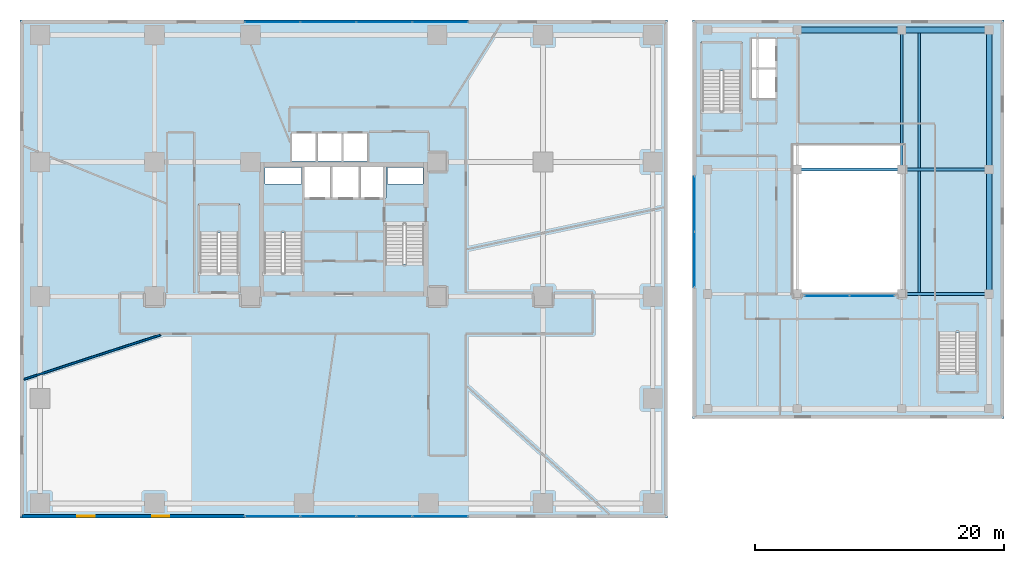
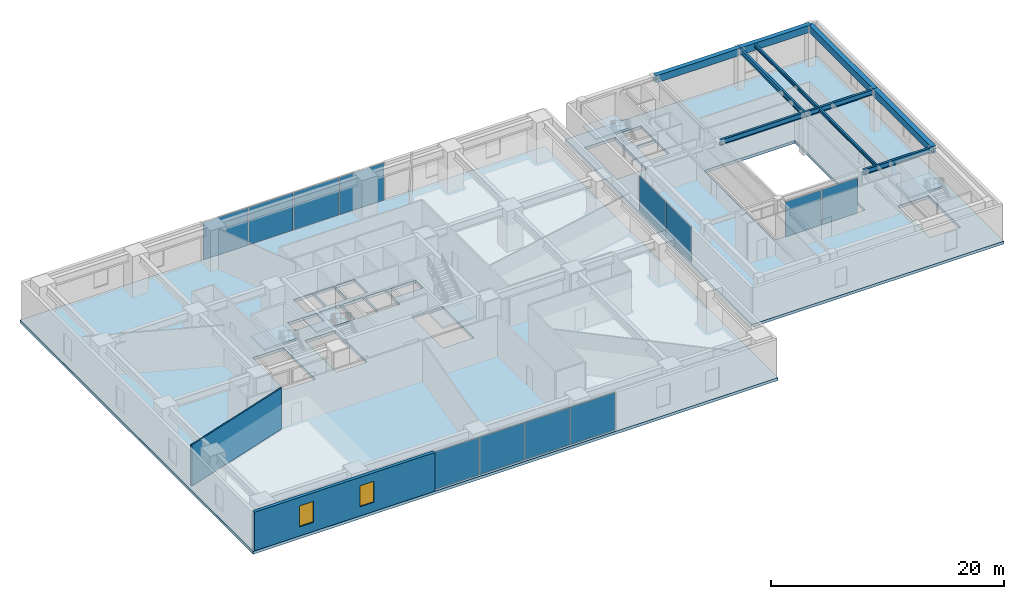
# One storey, part 15 of 24: 12 plates, 10 beams, 7 slabs, 2 walls, 2 windows, 2 openings, 9 elements without a shape of their own.
"""IFC4 building model written with IfcOpenShell, lengths in metres."""

from ifc_helpers import new_model, si_unit, direction, frame, frame_2d, origin, origin_2d, place, context, subcontext, project, spatial, polyline, rectangle, i_section, outline, extrude, source, transform, mapped, material, layer, layer_set, material_profile, profile_set, type_object, type_shapes, element, fill, aggregate, save


model = new_model("IFC4")

# Units and contexts
model_context = context("Model", 3, precision=1e-05, world=origin(), true_north=direction((0.0, 1.0)))
body_context = subcontext(model_context, "Body", "Model", "MODEL_VIEW")
ifc_project = project(units=[si_unit("LENGTHUNIT", "METRE"), si_unit("AREAUNIT", "SQUARE_METRE"), si_unit("VOLUMEUNIT", "CUBIC_METRE"), si_unit("PLANEANGLEUNIT", "RADIAN"), si_unit("MASSUNIT", "GRAM", prefix="KILO")], contexts=[model_context])

# Site, building, storey
site_placement = place(None, origin())
site = spatial("IfcSite", under=ifc_project, at=site_placement, CompositionType="ELEMENT")
building_placement = place(site_placement, origin())
building = spatial("IfcBuilding", under=site, at=building_placement, Name="Talar Marvaseh", CompositionType="ELEMENT")
storey_placement = place(building_placement, frame((0.0, 0.0, 9.800048828125)))
storey = spatial("IfcBuildingStorey", under=building, at=storey_placement, Name="L02", CompositionType="ELEMENT", Elevation=9.800048828125)

# Beams
ifc_material_1 = material(Name="Concrete C40/50", Category="concrete")
ifc_material_profile_1 = material_profile(ifc_material_1, rectangle(XDim=0.449951171875, YDim=0.75, at=origin_2d()), Name="RC450x750")
ifc_profile_set_1 = profile_set([ifc_material_profile_1], Name="Concrete C40/50")
beam_type_1 = type_object("IfcBeamType", Name="Market Concrete Edge Beam RC450x750", PredefinedType="SPANDREL", material=ifc_profile_set_1)
beam_1_placement = place(storey_placement, frame((62.39990234375, 47.199951171875, 3.925048828125), z_axis=(1.0, 0.0, 0.0), x_axis=(0.0, 1.0, 0.0)))
element("IfcBeam", 1, at=beam_1_placement, inside=storey, type_object=beam_type_1, Name="L02 Market Concrete Edge Beam RC450x750", PredefinedType="SPANDREL", context=body_context, shape_type="SweptSolid", body=[
    extrude(rectangle(XDim=0.449951171875, YDim=0.75, at=origin_2d()), origin(), (0.0, 0.0, 1.0), 8.400146484375),
])
beam_2_placement = place(storey_placement, frame((70.800048828125, 47.199951171875, 3.925048828125), z_axis=(1.0, 0.0, 0.0), x_axis=(0.0, 1.0, 0.0)))
element("IfcBeam", 2, at=beam_2_placement, inside=storey, type_object=beam_type_1, Name="L02 Market Concrete Edge Beam RC450x750", PredefinedType="SPANDREL", context=body_context, shape_type="SweptSolid", body=[
    extrude(rectangle(XDim=0.449951171875, YDim=0.75, at=origin_2d()), origin(), (0.0, 0.0, 1.0), 7.0),
])
beam_3_placement = place(storey_placement, frame((77.800048828125, 26.0, 3.925048828125), z_axis=(0.0, 1.0, 0.0), x_axis=(-1.0, 0.0, 0.0)))
element("IfcBeam", 3, at=beam_3_placement, inside=storey, type_object=beam_type_1, Name="L02 Market Concrete Edge Beam RC450x750", PredefinedType="SPANDREL", context=body_context, shape_type="SweptSolid", body=[
    extrude(rectangle(XDim=0.449951171875, YDim=0.75, at=origin_2d()), origin(), (0.0, 0.0, 1.0), 10.0),
])
beam_4_placement = place(storey_placement, frame((77.800048828125, 36.0, 3.925048828125), z_axis=(0.0, 1.0, 0.0), x_axis=(-1.0, 0.0, 0.0)))
element("IfcBeam", 4, at=beam_4_placement, inside=storey, type_object=beam_type_1, Name="L02 Market Concrete Edge Beam RC450x750", PredefinedType="SPANDREL", context=body_context, shape_type="SweptSolid", body=[
    extrude(rectangle(XDim=0.449951171875, YDim=0.75, at=origin_2d()), origin(), (0.0, 0.0, 1.0), 11.199951171875),
])
ifc_material_2 = material(Name="Steel S355", Category="steel")
ifc_material_profile_2 = material_profile(ifc_material_2, i_section(OverallWidth=0.2119140625, OverallDepth=0.5439453125, WebThickness=0.01318359375, FlangeThickness=0.021240234375, at=origin_2d()), Name="W530x123")
ifc_profile_set_2 = profile_set([ifc_material_profile_2], Name="Steel S355")
beam_type_2 = type_object("IfcBeamType", Name="Market Hall Primary Girder W530x123", PredefinedType="BEAM", material=ifc_profile_set_2)
beam_5_placement = place(storey_placement, frame((70.800048828125, 26.0, 4.02783203125), z_axis=(1.0, 0.0, 0.0), x_axis=(0.0, 1.0, 0.0)))
element("IfcBeam", 5, at=beam_5_placement, inside=storey, type_object=beam_type_2, Name="L02 Market Hall Primary Girder W530x123", PredefinedType="BEAM", context=body_context, shape_type="SweptSolid", body=[
    extrude(i_section(OverallWidth=0.2119140625, OverallDepth=0.5439453125, WebThickness=0.01318359375, FlangeThickness=0.021240234375, at=origin_2d()), origin(), (0.0, 0.0, 1.0), 7.0),
])
beam_6_placement = place(storey_placement, frame((62.39990234375, 36.0, 4.02783203125), z_axis=(1.0, 0.0, 0.0), x_axis=(0.0, 1.0, 0.0)))
element("IfcBeam", 6, at=beam_6_placement, inside=storey, type_object=beam_type_2, Name="L02 Market Hall Primary Girder W530x123", PredefinedType="BEAM", context=body_context, shape_type="SweptSolid", body=[
    extrude(i_section(OverallWidth=0.2119140625, OverallDepth=0.5439453125, WebThickness=0.01318359375, FlangeThickness=0.021240234375, at=origin_2d()), origin(), (0.0, 0.0, 1.0), 8.400146484375),
])
beam_7_placement = place(storey_placement, frame((70.800048828125, 36.0, 4.02783203125), z_axis=(1.0, 0.0, 0.0), x_axis=(0.0, 1.0, 0.0)))
element("IfcBeam", 7, at=beam_7_placement, inside=storey, type_object=beam_type_2, Name="L02 Market Hall Primary Girder W530x123", PredefinedType="BEAM", context=body_context, shape_type="SweptSolid", body=[
    extrude(i_section(OverallWidth=0.2119140625, OverallDepth=0.5439453125, WebThickness=0.01318359375, FlangeThickness=0.021240234375, at=origin_2d()), origin(), (0.0, 0.0, 1.0), 7.0),
])
beam_8_placement = place(storey_placement, frame((70.800048828125, 36.0, 4.02783203125), z_axis=(0.0, 1.0, 0.0), x_axis=(-1.0, 0.0, 0.0)))
element("IfcBeam", 8, at=beam_8_placement, inside=storey, type_object=beam_type_2, Name="L02 Market Hall Primary Girder W530x123", PredefinedType="BEAM", context=body_context, shape_type="SweptSolid", body=[
    extrude(i_section(OverallWidth=0.2119140625, OverallDepth=0.5439453125, WebThickness=0.01318359375, FlangeThickness=0.021240234375, at=origin_2d()), origin(), (0.0, 0.0, 1.0), 11.199951171875),
])
ifc_material_profile_3 = material_profile(ifc_material_2, i_section(OverallWidth=0.172119140625, OverallDepth=0.35791015625, WebThickness=0.0078125, FlangeThickness=0.01318359375, at=origin_2d()), Name="W360x57")
ifc_profile_set_3 = profile_set([ifc_material_profile_3], Name="Steel S355")
beam_type_3 = type_object("IfcBeamType", Name="Zone 2 Secondary Floor Joist W360x57", PredefinedType="JOIST", material=ifc_profile_set_3)
beam_9_placement = place(storey_placement, frame((72.199951171875, 26.10498046875, 4.120849609375), z_axis=(0.0, 1.0, 0.0), x_axis=(-1.0, 0.0, 0.0)))
element("IfcBeam", 9, at=beam_9_placement, inside=storey, type_object=beam_type_3, Name="L02 Zone 2 Secondary Floor Joist W360x57", PredefinedType="JOIST", context=body_context, shape_type="SweptSolid", body=[
    extrude(i_section(OverallWidth=0.172119140625, OverallDepth=0.35791015625, WebThickness=0.0078125, FlangeThickness=0.01318359375, at=origin_2d()), origin(), (0.0, 0.0, 1.0), 9.7900390625),
])
beam_10_placement = place(storey_placement, frame((72.199951171875, 36.10498046875, 4.120849609375), z_axis=(0.0, 1.0, 0.0), x_axis=(-1.0, 0.0, 0.0)))
element("IfcBeam", 10, at=beam_10_placement, inside=storey, type_object=beam_type_3, Name="L02 Zone 2 Secondary Floor Joist W360x57", PredefinedType="JOIST", context=body_context, shape_type="SweptSolid", body=[
    extrude(i_section(OverallWidth=0.172119140625, OverallDepth=0.35791015625, WebThickness=0.0078125, FlangeThickness=0.01318359375, at=origin_2d()), origin(), (0.0, 0.0, 1.0), 10.875),
])

# Stair, slab
stair_type = type_object("IfcStairType", Name="Reinforced Concrete Half-Turn Exit Stair Type A", PredefinedType="HALF_TURN_STAIR", material=ifc_material_1)
stair_1_placement = place(storey_placement, origin())
stair_1 = element("IfcStair", 11, at=stair_1_placement, inside=storey, type_object=stair_type, Name="L02 Tower West Core Exit Stair", PredefinedType="HALF_TURN_STAIR")
ifc_layer_1 = layer(ifc_material_1, 0.199951171875)
ifc_layer_set_1 = layer_set([ifc_layer_1], Name="Concrete C40/50")
slab_type_1 = type_object("IfcSlabType", Name="Reinforced Concrete Stair Half-Landing Slab 200", PredefinedType="LANDING", material=ifc_layer_set_1)
slab_1_placement = place(storey_placement, frame((0.0, 0.0, 2.099853515625)))
slab_1 = element("IfcSlab", 12, at=slab_1_placement, type_object=slab_type_1, Name="ST-1 landing 1", PredefinedType="LANDING", context=body_context, shape_type="SweptSolid", body=[
    extrude(outline(polyline([(22.780029296875, 30.889892578125), (22.780029296875, 33.219970703125), (19.47998046875, 33.219970703125), (19.47998046875, 30.889892578125), (22.780029296875, 30.889892578125)])), origin(), (0.0, 0.0, 1.0), 0.2001953125),
])
aggregate(stair_1, [slab_1])

stair_2_placement = place(storey_placement, origin())
stair_2 = element("IfcStair", 13, at=stair_2_placement, inside=storey, type_object=stair_type, Name="L02 Tower East Core Exit Stair", PredefinedType="HALF_TURN_STAIR")
slab_2_placement = place(storey_placement, frame((0.0, 0.0, 2.099853515625)))
slab_2 = element("IfcSlab", 14, at=slab_2_placement, type_object=slab_type_1, Name="ST-2 landing 1", PredefinedType="LANDING", context=body_context, shape_type="SweptSolid", body=[
    extrude(outline(polyline([(29.219970703125, 28.409912109375), (29.219970703125, 26.080078125), (32.52001953125, 26.080078125), (32.52001953125, 28.409912109375), (29.219970703125, 28.409912109375)])), origin(), (0.0, 0.0, 1.0), 0.2001953125),
])
aggregate(stair_2, [slab_2])

stair_3_placement = place(storey_placement, origin())
stair_3 = element("IfcStair", 15, at=stair_3_placement, inside=storey, type_object=stair_type, Name="L02 Museum & Podium Auxiliary Exit Stair", PredefinedType="HALF_TURN_STAIR")
slab_3_placement = place(storey_placement, frame((0.0, 0.0, 2.099853515625)))
slab_3 = element("IfcSlab", 16, at=slab_3_placement, type_object=slab_type_1, Name="ST-3 landing 1", PredefinedType="LANDING", context=body_context, shape_type="SweptSolid", body=[
    extrude(outline(polyline([(17.6201171875, 30.889892578125), (17.6201171875, 33.219970703125), (14.320068359375, 33.219970703125), (14.320068359375, 30.889892578125), (17.6201171875, 30.889892578125)])), origin(), (0.0, 0.0, 1.0), 0.2001953125),
])
aggregate(stair_3, [slab_3])

stair_4_placement = place(storey_placement, origin())
stair_4 = element("IfcStair", 17, at=stair_4_placement, inside=storey, type_object=stair_type, Name="L02 Market Hall North-West Exit Stair", PredefinedType="HALF_TURN_STAIR")
slab_4_placement = place(storey_placement, frame((0.0, 0.0, 2.099853515625)))
slab_4 = element("IfcSlab", 18, at=slab_4_placement, type_object=slab_type_1, Name="MH-ST1 landing 1", PredefinedType="LANDING", context=body_context, shape_type="SweptSolid", body=[
    extrude(outline(polyline([(57.97998046875, 43.889892578125), (57.97998046875, 46.219970703125), (54.679931640625, 46.219970703125), (54.679931640625, 43.889892578125), (57.97998046875, 43.889892578125)])), origin(), (0.0, 0.0, 1.0), 0.2001953125),
])
aggregate(stair_4, [slab_4])

stair_5_placement = place(storey_placement, origin())
stair_5 = element("IfcStair", 19, at=stair_5_placement, inside=storey, type_object=stair_type, Name="L02 Market Hall South-East Exit Stair", PredefinedType="HALF_TURN_STAIR")
slab_5_placement = place(storey_placement, frame((0.0, 0.0, 2.099853515625)))
slab_5 = element("IfcSlab", 20, at=slab_5_placement, type_object=slab_type_1, Name="MH-ST2 landing 1", PredefinedType="LANDING", context=body_context, shape_type="SweptSolid", body=[
    extrude(outline(polyline([(76.919921875, 22.889892578125), (76.919921875, 25.219970703125), (73.6201171875, 25.219970703125), (73.6201171875, 22.889892578125), (76.919921875, 22.889892578125)])), origin(), (0.0, 0.0, 1.0), 0.2001953125),
])
aggregate(stair_5, [slab_5])

# Slabs
ifc_material_3 = material(Name="Concrete C50/60", Category="concrete")
ifc_layer_2 = layer(ifc_material_3, 0.300048828125)
ifc_layer_set_2 = layer_set([ifc_layer_2], Name="Concrete C50/60")
slab_type_2 = type_object("IfcSlabType", Name="Structural Suspended Floor Slab 300", PredefinedType="FLOOR", material=ifc_layer_set_2)
slab_6_placement = place(storey_placement, frame((0.0, 0.0, -0.300048828125)))
element("IfcSlab", 21, at=slab_6_placement, inside=storey, type_object=slab_type_2, Name="L02 Tower Station Podium Floor Slab", PredefinedType="FLOOR", context=body_context, shape_type="SweptSolid", body=[
    extrude(outline(polyline([(0.0, 8.0), (52.0, 8.0), (52.0, 48.0), (0.0, 48.0), (0.0, 8.0)]), holes=[polyline([(22.659912109375, 27.64990234375), (22.659912109375, 33.10009765625), (19.60009765625, 33.10009765625), (19.60009765625, 27.64990234375), (22.659912109375, 27.64990234375)]), polyline([(29.340087890625, 31.64990234375), (29.340087890625, 26.199951171875), (32.39990234375, 26.199951171875), (32.39990234375, 31.64990234375), (29.340087890625, 31.64990234375)]), polyline([(17.5, 27.64990234375), (17.5, 33.10009765625), (14.43994140625, 33.10009765625), (14.43994140625, 27.64990234375), (17.5, 27.64990234375)]), polyline([(22.800048828125, 33.719970703125), (24.93994140625, 33.719970703125), (24.93994140625, 36.179931640625), (22.800048828125, 36.179931640625), (22.800048828125, 33.719970703125)]), polyline([(25.080078125, 33.719970703125), (27.219970703125, 33.719970703125), (27.219970703125, 36.179931640625), (25.080078125, 36.179931640625), (25.080078125, 33.719970703125)]), polyline([(27.360107421875, 33.719970703125), (29.39990234375, 33.719970703125), (29.39990234375, 36.179931640625), (27.360107421875, 36.179931640625), (27.360107421875, 33.719970703125)]), polyline([(21.840087890625, 36.659912109375), (23.760009765625, 36.659912109375), (23.760009765625, 38.8798828125), (21.840087890625, 38.8798828125), (21.840087890625, 36.659912109375)]), polyline([(23.89990234375, 36.659912109375), (25.820068359375, 36.659912109375), (25.820068359375, 38.8798828125), (23.89990234375, 38.8798828125), (23.89990234375, 36.659912109375)]), polyline([(25.9599609375, 36.659912109375), (27.8798828125, 36.659912109375), (27.8798828125, 38.8798828125), (25.9599609375, 38.8798828125), (25.9599609375, 36.659912109375)]), polyline([(19.659912109375, 34.840087890625), (22.60009765625, 34.840087890625), (22.60009765625, 36.139892578125), (19.659912109375, 36.139892578125), (19.659912109375, 34.840087890625)]), polyline([(29.52001953125, 34.840087890625), (32.340087890625, 34.840087890625), (32.340087890625, 36.139892578125), (29.52001953125, 36.139892578125), (29.52001953125, 34.840087890625)])]), origin(), (0.0, 0.0, 1.0), 0.300048828125),
])
slab_7_placement = place(storey_placement, frame((0.0, 0.0, -0.300048828125)))
element("IfcSlab", 22, at=slab_7_placement, inside=storey, type_object=slab_type_2, Name="L02 Market Hall Bazaar Floor Slab", PredefinedType="FLOOR", context=body_context, shape_type="SweptSolid", body=[
    extrude(outline(polyline([(54.0, 16.0), (79.0, 16.0), (79.0, 48.0), (54.0, 48.0), (54.0, 16.0)]), holes=[polyline([(57.860107421875, 40.64990234375), (57.860107421875, 46.10009765625), (54.800048828125, 46.10009765625), (54.800048828125, 40.64990234375), (57.860107421875, 40.64990234375)]), polyline([(76.800048828125, 19.64990234375), (76.800048828125, 25.10009765625), (73.739990234375, 25.10009765625), (73.739990234375, 19.64990234375), (76.800048828125, 19.64990234375)]), polyline([(58.739990234375, 44.179931640625), (60.659912109375, 44.179931640625), (60.659912109375, 46.47998046875), (58.739990234375, 46.47998046875), (58.739990234375, 44.179931640625)]), polyline([(58.739990234375, 41.719970703125), (60.659912109375, 41.719970703125), (60.659912109375, 44.02001953125), (58.739990234375, 44.02001953125), (58.739990234375, 41.719970703125)]), polyline([(62.0, 26.0), (71.0, 26.0), (71.0, 38.0), (62.0, 38.0), (62.0, 26.0)])]), origin(), (0.0, 0.0, 1.0), 0.300048828125),
])

# Curtain wall, plates
ifc_material_4 = material(Name="Architectural Aluminium", Category="aluminium")
ifc_layer_3 = layer(ifc_material_4, 0.25)
ifc_layer_set_3 = layer_set([ifc_layer_3], Name="Architectural Aluminium")
curtain_wall_type_1 = type_object("IfcCurtainWallType", Name="Station Podium Monumental Iwan Curtain Wall", PredefinedType="NOTDEFINED", material=ifc_layer_set_3)
curtain_wall_1_placement = place(storey_placement, origin())
curtain_wall_1 = element("IfcCurtainWall", 23, at=curtain_wall_1_placement, inside=storey, type_object=curtain_wall_type_1, Name="L02 Station Podium Monumental Iwan Curtain Wall", PredefinedType="NOTDEFINED")
ifc_material_5 = material(Name="Laminated Low-E Solar Glass", Category="glass")
ifc_layer_4 = layer(ifc_material_5, 0.028076171875)
ifc_layer_set_4 = layer_set([ifc_layer_4], Name="Laminated Low-E Solar Glass")
plate_type = type_object("IfcPlateType", Name="Double-Glazed Low-E Vision Curtain Panel 28", PredefinedType="CURTAIN_PANEL", material=ifc_layer_set_4)
shared_shape_1 = source(origin(), body_context, "Body", "SweptSolid", [
    extrude(rectangle(XDim=4.402587890625, YDim=0.028076171875, at=origin_2d()), origin(), (0.0, 0.0, 1.0), 3.919921875),
])
plate_1_placement = place(storey_placement, frame((33.733642578125, 8.159912109375, 0.06494140625), z_axis=(0.0, 0.0, 1.0), x_axis=(-1.0, 0.0, 0.0)))
plate_1 = element("IfcPlate", 24, at=plate_1_placement, type_object=plate_type, Name="CW-POD panel 1.1", PredefinedType="CURTAIN_PANEL", context=body_context, shape_type="MappedRepresentation", body=[
    mapped(shared_shape_1, transform((0.0, 0.0, 0.0), x_axis=(1.0, 0.0, 0.0), y_axis=(0.0, 1.0, 0.0), z_axis=(0.0, 0.0, 1.0), scale=1.0)),
])
plate_2_placement = place(storey_placement, frame((20.266357421875, 8.159912109375, 0.06494140625), z_axis=(0.0, 0.0, 1.0), x_axis=(-1.0, 0.0, 0.0)))
plate_2 = element("IfcPlate", 25, at=plate_2_placement, type_object=plate_type, Name="CW-POD panel 4.1", PredefinedType="CURTAIN_PANEL", context=body_context, shape_type="MappedRepresentation", body=[
    mapped(shared_shape_1, transform((0.0, 0.0, 0.0), x_axis=(1.0, 0.0, 0.0), y_axis=(0.0, 1.0, 0.0), z_axis=(0.0, 0.0, 1.0), scale=1.0)),
])

curtain_wall_2_placement = place(storey_placement, origin())
curtain_wall_2 = element("IfcCurtainWall", 26, at=curtain_wall_2_placement, inside=storey, type_object=curtain_wall_type_1, Name="L02 Station Podium Monumental Iwan Curtain Wall", PredefinedType="NOTDEFINED")
plate_3_placement = place(storey_placement, frame((20.266357421875, 47.840087890625, 0.06494140625), z_axis=(0.0, 0.0, 1.0), x_axis=(1.0, 0.0, 0.0)))
plate_3 = element("IfcPlate", 27, at=plate_3_placement, type_object=plate_type, Name="CW-POD panel 1.1", PredefinedType="CURTAIN_PANEL", context=body_context, shape_type="MappedRepresentation", body=[
    mapped(shared_shape_1, transform((0.0, 0.0, 0.0), x_axis=(1.0, 0.0, 0.0), y_axis=(0.0, 1.0, 0.0), z_axis=(0.0, 0.0, 1.0), scale=1.0)),
])
plate_4_placement = place(storey_placement, frame((33.733642578125, 47.840087890625, 0.06494140625), z_axis=(0.0, 0.0, 1.0), x_axis=(1.0, 0.0, 0.0)))
plate_4 = element("IfcPlate", 28, at=plate_4_placement, type_object=plate_type, Name="CW-POD panel 4.1", PredefinedType="CURTAIN_PANEL", context=body_context, shape_type="MappedRepresentation", body=[
    mapped(shared_shape_1, transform((0.0, 0.0, 0.0), x_axis=(1.0, 0.0, 0.0), y_axis=(0.0, 1.0, 0.0), z_axis=(0.0, 0.0, 1.0), scale=1.0)),
])

# Plate
shared_shape_2 = source(origin(), body_context, "Body", "SweptSolid", [
    extrude(rectangle(XDim=4.43505859375, YDim=0.028076171875, at=origin_2d()), origin(), (0.0, 0.0, 1.0), 3.919921875),
])
plate_5_placement = place(storey_placement, frame((29.25, 8.159912109375, 0.06494140625), z_axis=(0.0, 0.0, 1.0), x_axis=(-1.0, 0.0, 0.0)))
plate_5 = element("IfcPlate", 29, at=plate_5_placement, type_object=plate_type, Name="CW-POD panel 2.1", PredefinedType="CURTAIN_PANEL", context=body_context, shape_type="MappedRepresentation", body=[
    mapped(shared_shape_2, transform((0.0, 0.0, 0.0), x_axis=(1.0, 0.0, 0.0), y_axis=(0.0, 1.0, 0.0), z_axis=(0.0, 0.0, 1.0), scale=1.0)),
])

plate_6_placement = place(storey_placement, frame((24.75, 8.159912109375, 0.06494140625), z_axis=(0.0, 0.0, 1.0), x_axis=(-1.0, 0.0, 0.0)))
plate_6 = element("IfcPlate", 30, at=plate_6_placement, type_object=plate_type, Name="CW-POD panel 3.1", PredefinedType="CURTAIN_PANEL", context=body_context, shape_type="MappedRepresentation", body=[
    mapped(shared_shape_2, transform((0.0, 0.0, 0.0), x_axis=(1.0, 0.0, 0.0), y_axis=(0.0, 1.0, 0.0), z_axis=(0.0, 0.0, 1.0), scale=1.0)),
])

aggregate(curtain_wall_1, [plate_1, plate_5, plate_6, plate_2])

plate_7_placement = place(storey_placement, frame((24.75, 47.840087890625, 0.06494140625), z_axis=(0.0, 0.0, 1.0), x_axis=(1.0, 0.0, 0.0)))
plate_7 = element("IfcPlate", 31, at=plate_7_placement, type_object=plate_type, Name="CW-POD panel 2.1", PredefinedType="CURTAIN_PANEL", context=body_context, shape_type="MappedRepresentation", body=[
    mapped(shared_shape_2, transform((0.0, 0.0, 0.0), x_axis=(1.0, 0.0, 0.0), y_axis=(0.0, 1.0, 0.0), z_axis=(0.0, 0.0, 1.0), scale=1.0)),
])

plate_8_placement = place(storey_placement, frame((29.25, 47.840087890625, 0.06494140625), z_axis=(0.0, 0.0, 1.0), x_axis=(1.0, 0.0, 0.0)))
plate_8 = element("IfcPlate", 32, at=plate_8_placement, type_object=plate_type, Name="CW-POD panel 3.1", PredefinedType="CURTAIN_PANEL", context=body_context, shape_type="MappedRepresentation", body=[
    mapped(shared_shape_2, transform((0.0, 0.0, 0.0), x_axis=(1.0, 0.0, 0.0), y_axis=(0.0, 1.0, 0.0), z_axis=(0.0, 0.0, 1.0), scale=1.0)),
])

aggregate(curtain_wall_2, [plate_3, plate_7, plate_8, plate_4])

# Curtain wall, plates
ifc_layer_5 = layer(ifc_material_4, 0.169921875)
ifc_layer_set_5 = layer_set([ifc_layer_5], Name="Architectural Aluminium")
curtain_wall_type_2 = type_object("IfcCurtainWallType", Name="Market Hall Clerestory and Courtyard Curtain Wall", PredefinedType="NOTDEFINED", material=ifc_layer_set_5)
curtain_wall_3_placement = place(storey_placement, origin())
curtain_wall_3 = element("IfcCurtainWall", 33, at=curtain_wall_3_placement, inside=storey, type_object=curtain_wall_type_2, Name="L02 Market Hall Clerestory and Courtyard Curtain Wall", PredefinedType="NOTDEFINED")
shared_shape_3 = source(origin(), body_context, "Body", "SweptSolid", [
    extrude(rectangle(XDim=4.402587890625, YDim=0.028076171875, at=origin_2d()), origin(), (0.0, 0.0, 1.0), 3.669921875),
])
plate_9_placement = place(storey_placement, frame((54.14990234375, 28.766357421875, 0.06494140625), z_axis=(0.0, 0.0, 1.0), x_axis=(0.0, 1.0, 0.0)))
plate_9 = element("IfcPlate", 34, at=plate_9_placement, type_object=plate_type, Name="CW-MKT panel 1.1", PredefinedType="CURTAIN_PANEL", context=body_context, shape_type="MappedRepresentation", body=[
    mapped(shared_shape_3, transform((0.0, 0.0, 0.0), x_axis=(1.0, 0.0, 0.0), y_axis=(0.0, 1.0, 0.0), z_axis=(0.0, 0.0, 1.0), scale=1.0)),
])
plate_10_placement = place(storey_placement, frame((54.14990234375, 33.233642578125, 0.06494140625), z_axis=(0.0, 0.0, 1.0), x_axis=(0.0, 1.0, 0.0)))
plate_10 = element("IfcPlate", 35, at=plate_10_placement, type_object=plate_type, Name="CW-MKT panel 2.1", PredefinedType="CURTAIN_PANEL", context=body_context, shape_type="MappedRepresentation", body=[
    mapped(shared_shape_3, transform((0.0, 0.0, 0.0), x_axis=(1.0, 0.0, 0.0), y_axis=(0.0, 1.0, 0.0), z_axis=(0.0, 0.0, 1.0), scale=1.0)),
])
aggregate(curtain_wall_3, [plate_9, plate_10])

curtain_wall_4_placement = place(storey_placement, origin())
curtain_wall_4 = element("IfcCurtainWall", 36, at=curtain_wall_4_placement, inside=storey, type_object=curtain_wall_type_2, Name="L02 Market Hall Clerestory and Courtyard Curtain Wall", PredefinedType="NOTDEFINED")
shared_shape_4 = source(origin(), body_context, "Body", "SweptSolid", [
    extrude(rectangle(XDim=3.552490234375, YDim=0.028076171875, at=origin_2d()), origin(), (0.0, 0.0, 1.0), 3.669921875),
])
type_shapes(plate_type, [shared_shape_1, shared_shape_2, shared_shape_3, shared_shape_4])
plate_11_placement = place(storey_placement, frame((64.791259765625, 25.85009765625, 0.06494140625), z_axis=(0.0, 0.0, 1.0), x_axis=(1.0, 0.0, 0.0)))
plate_11 = element("IfcPlate", 37, at=plate_11_placement, type_object=plate_type, Name="CW-MKT panel 1.1", PredefinedType="CURTAIN_PANEL", context=body_context, shape_type="MappedRepresentation", body=[
    mapped(shared_shape_4, transform((0.0, 0.0, 0.0), x_axis=(1.0, 0.0, 0.0), y_axis=(0.0, 1.0, 0.0), z_axis=(0.0, 0.0, 1.0), scale=1.0)),
])
plate_12_placement = place(storey_placement, frame((68.40869140625, 25.85009765625, 0.06494140625), z_axis=(0.0, 0.0, 1.0), x_axis=(1.0, 0.0, 0.0)))
plate_12 = element("IfcPlate", 38, at=plate_12_placement, type_object=plate_type, Name="CW-MKT panel 2.1", PredefinedType="CURTAIN_PANEL", context=body_context, shape_type="MappedRepresentation", body=[
    mapped(shared_shape_4, transform((0.0, 0.0, 0.0), x_axis=(1.0, 0.0, 0.0), y_axis=(0.0, 1.0, 0.0), z_axis=(0.0, 0.0, 1.0), scale=1.0)),
])
aggregate(curtain_wall_4, [plate_11, plate_12])

# Wall, openings, windows
ifc_material_6 = material(Name="Precast concrete C45/55", Category="concrete")
ifc_layer_6 = layer(ifc_material_6, 0.31005859375)
ifc_layer_set_6 = layer_set([ifc_layer_6], Name="Precast concrete C45/55")
wall_type_1 = type_object("IfcWallType", Name="Architectural Precast Limestone Podium Facade Wall 310", PredefinedType="SOLIDWALL", material=ifc_layer_set_6)
wall_1_placement = place(storey_placement, frame((18.0, 8.159912109375, 0.0), z_axis=(0.0, 0.0, 1.0), x_axis=(-1.0, 0.0, 0.0)))
wall_1 = element("IfcWall", 39, at=wall_1_placement, inside=storey, type_object=wall_type_1, Name="L02 Podium South-West Facade Wall", PredefinedType="SOLIDWALL", context=body_context, shape_type="SweptSolid", body=[
    extrude(rectangle(XDim=17.840087890625, YDim=0.31005859375, at=frame_2d((8.919921875, 0.0))), origin(), (0.0, 0.0, 1.0), 4.050048828125),
])
opening_1_placement = place(wall_1_placement, frame((6.0, 0.0, 0.949951171875)))
opening_1 = element("IfcOpeningElement", 40, at=opening_1_placement, cuts=wall_1, Name="Opening WN-POD14", PredefinedType="OPENING", context=body_context, shape_type="SweptSolid", body=[
    extrude(rectangle(XDim=1.39990234375, YDim=2.199951171875, at=frame_2d((0.699951171875, 1.10009765625))), frame((0.0, 0.1650390625, 0.0), z_axis=(0.0, -1.0, 0.0), x_axis=(1.0, 0.0, 0.0)), (0.0, 0.0, 1.0), 0.330078125),
])
opening_2_placement = place(wall_1_placement, frame((12.0, 0.0, 0.949951171875)))
opening_2 = element("IfcOpeningElement", 41, at=opening_2_placement, cuts=wall_1, Name="Opening WN-POD14", PredefinedType="OPENING", context=body_context, shape_type="SweptSolid", body=[
    extrude(rectangle(XDim=1.39990234375, YDim=2.199951171875, at=frame_2d((0.699951171875, 1.10009765625))), frame((0.0, 0.1650390625, 0.0), z_axis=(0.0, -1.0, 0.0), x_axis=(1.0, 0.0, 0.0)), (0.0, 0.0, 1.0), 0.330078125),
])
window_type = type_object("IfcWindowType", Name="Podium Mezzanine Solar Window 1400x2200", PartitioningType="SINGLE_PANEL", PredefinedType="WINDOW", material=ifc_material_5)
shared_shape_5 = source(origin(), body_context, "Body", "SweptSolid", [
    extrude(rectangle(XDim=1.39990234375, YDim=2.199951171875, at=frame_2d((0.699951171875, 1.10009765625))), frame((0.0, 0.030029296875, 0.0), z_axis=(0.0, -1.0, 0.0), x_axis=(1.0, 0.0, 0.0)), (0.0, 0.0, 1.0), 0.06005859375),
])
type_shapes(window_type, [shared_shape_5])
window_1_placement = place(opening_1_placement, origin())
window_1 = element("IfcWindow", 42, at=window_1_placement, inside=storey, type_object=window_type, Name="L02 Podium Solar Window", OverallHeight=2.199951171875, OverallWidth=1.39990234375, PartitioningType="SINGLE_PANEL", PredefinedType="WINDOW", context=body_context, shape_type="MappedRepresentation", body=[
    mapped(shared_shape_5, transform((0.0, 0.0, 0.0), x_axis=(1.0, 0.0, 0.0), y_axis=(0.0, 1.0, 0.0), z_axis=(0.0, 0.0, 1.0), scale=1.0)),
])
fill(opening_1, window_1)
window_2_placement = place(opening_2_placement, origin())
window_2 = element("IfcWindow", 43, at=window_2_placement, inside=storey, type_object=window_type, Name="L02 Podium Solar Window", OverallHeight=2.199951171875, OverallWidth=1.39990234375, PartitioningType="SINGLE_PANEL", PredefinedType="WINDOW", context=body_context, shape_type="MappedRepresentation", body=[
    mapped(shared_shape_5, transform((0.0, 0.0, 0.0), x_axis=(1.0, 0.0, 0.0), y_axis=(0.0, 1.0, 0.0), z_axis=(0.0, 0.0, 1.0), scale=1.0)),
])
fill(opening_2, window_2)

# Wall
ifc_material_7 = material(Name="Gypsum Board Partition Assembly")
ifc_layer_7 = layer(ifc_material_7, 0.135009765625)
ifc_layer_set_7 = layer_set([ifc_layer_7], Name="Gypsum Board Partition Assembly")
wall_type_2 = type_object("IfcWallType", Name="Gallery High-Acoustic Partition 135", PredefinedType="PARTITIONING", material=ifc_layer_set_7)
wall_2_placement = place(storey_placement, frame((0.31005859375, 19.14990234375, 0.0), z_axis=(0.0, 0.0, 1.0), x_axis=(0.950941430198, 0.309370968795, 0.0)))
element("IfcWall", 44, at=wall_2_placement, inside=storey, type_object=wall_type_2, Name="L02 Interior Partition Wall", PredefinedType="PARTITIONING", context=body_context, shape_type="SweptSolid", body=[
    extrude(rectangle(XDim=11.52880859375, YDim=0.135009765625, at=frame_2d((5.764404296875, 0.0))), origin(), (0.0, 0.0, 1.0), 4.300048828125),
])

save(model, "model.ifc")
